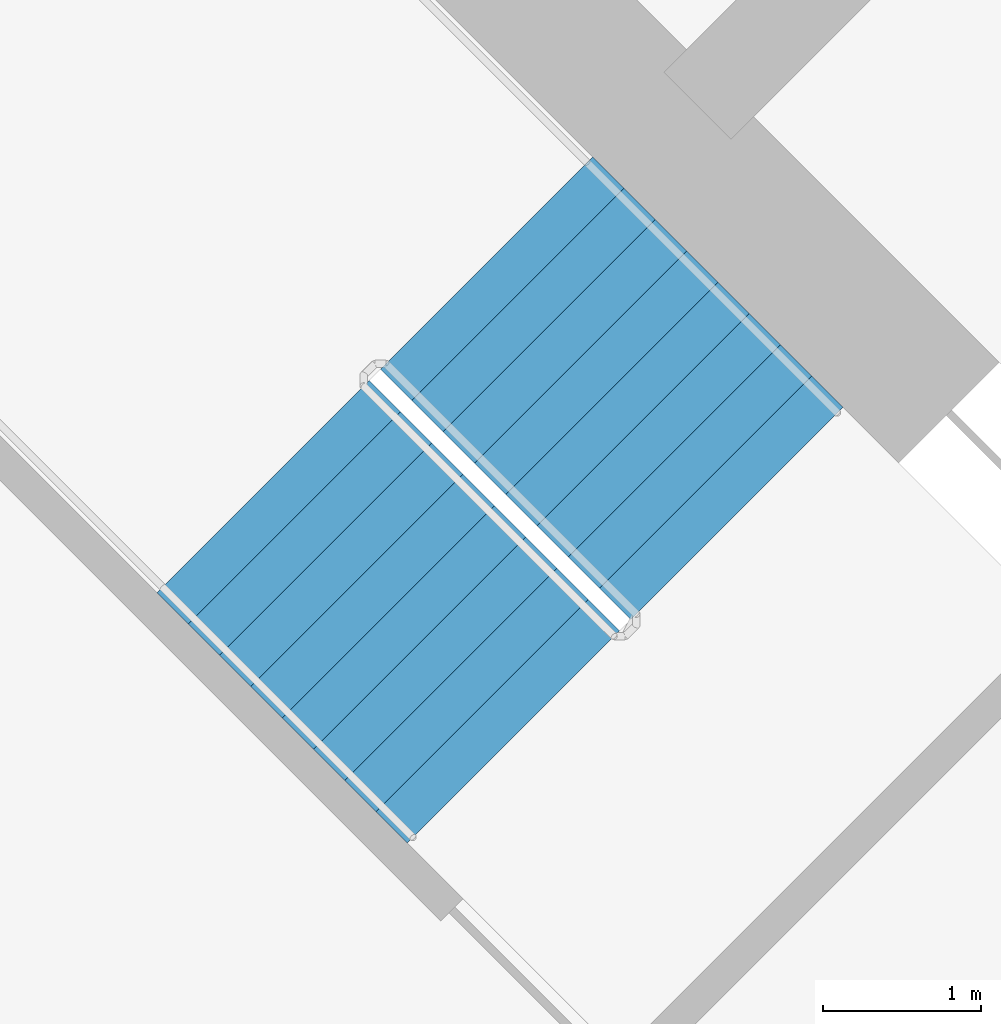
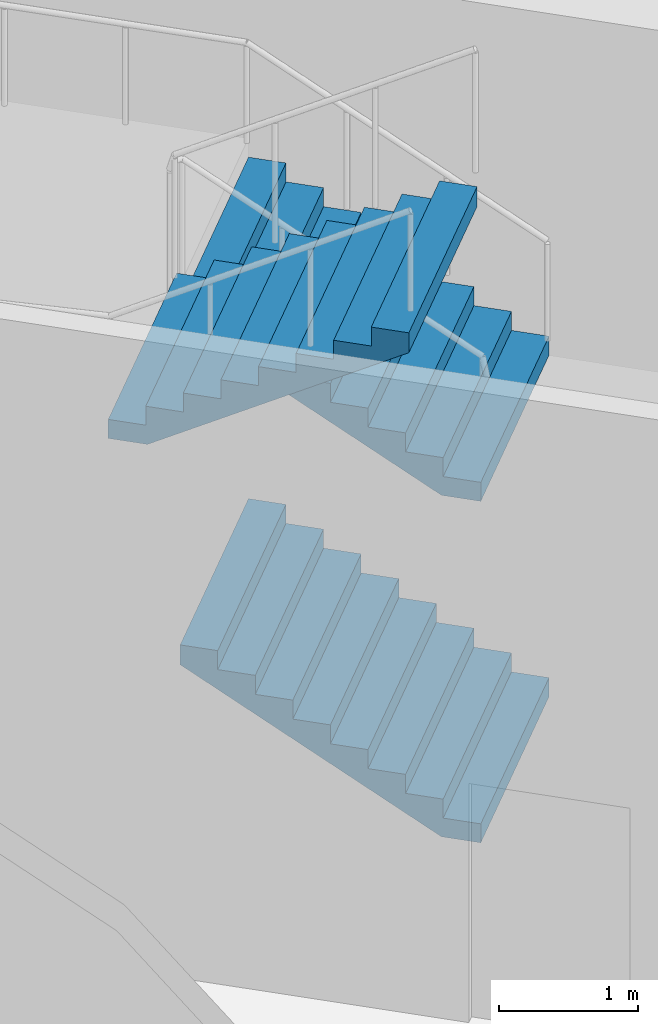
# One storey, part 10 of 12: 3 stair flights, 1 element without a shape of its own.
"""IFC4 building model written with IfcOpenShell, lengths in metres."""

import ifcopenshell
import ifcopenshell.guid

model = None  # the IFC model being written
_history = None  # IfcOwnerHistory: only IFC2X3 demands one
_inside = {}  # id of a spatial element -> (the spatial element, [elements in it])
_under = {}  # id of a project, library or spatial element -> (it, [spatial elements below it])
_declared = {}  # id of a project -> (the project, [libraries it declares])
_typed = {}  # id of a type object -> (the type object, [elements of that type])
_made_of = {}  # id of a material, layer set ... -> (it, [elements and type objects made of it])


def new_model(schema):
    """Start an empty IFC model of exactly this schema.

    Asked for "IFC4X3", IfcOpenShell would pick the latest addendum, in which some entities
    have other attributes; the version numbers below select the first issue.
    IFC2X3 requires an IfcOwnerHistory on every rooted entity: one is made here for all.
    """
    global model, _history
    if schema == "IFC4X3":
        model = ifcopenshell.file(schema_version=(4, 3, 0, 0))
    else:
        model = ifcopenshell.file(schema=schema)
    _inside.clear()
    _under.clear()
    _declared.clear()
    _typed.clear()
    _made_of.clear()
    _history = None
    if model.schema == "IFC2X3":
        org = make("IfcOrganization", Name="unknown")
        user = make(
            "IfcPersonAndOrganization",
            ThePerson=make("IfcPerson", FamilyName="unknown"),
            TheOrganization=org,
        )
        app = make(
            "IfcApplication",
            ApplicationDeveloper=org,
            Version="unknown",
            ApplicationFullName="unknown",
            ApplicationIdentifier="unknown",
        )
        _history = make(
            "IfcOwnerHistory",
            OwningUser=user,
            OwningApplication=app,
            ChangeAction="ADDED",
            CreationDate=0,
        )
    return model


def make(cls, **values):
    """One entity of the class cls with the attributes given. An attribute that is None is left unset."""
    return model.create_entity(
        cls, **{name: value for name, value in values.items() if value is not None}
    )


def rooted(cls, **values):
    """An entity with a GlobalId (a new one), such as an element, a storey or a relation."""
    return make(cls, GlobalId=ifcopenshell.guid.new(), OwnerHistory=_history, **values)


def si_unit(unit_type, name, prefix=None):
    """IfcSIUnit, for example si_unit("LENGTHUNIT", "METRE", prefix="MILLI")."""
    return make("IfcSIUnit", UnitType=unit_type, Prefix=prefix, Name=name)


def assignment(units):
    """IfcUnitAssignment: the units of a project."""
    return None if units is None else make("IfcUnitAssignment", Units=units)


def point(xyz):
    """IfcCartesianPoint."""
    return None if xyz is None else make("IfcCartesianPoint", Coordinates=xyz)


def direction(xyz):
    """IfcDirection."""
    return None if xyz is None else make("IfcDirection", DirectionRatios=xyz)


def frame(location, z_axis=None, x_axis=None):
    """IfcAxis2Placement3D, a coordinate frame: its origin and axes. An axis left out is left unset."""
    return make(
        "IfcAxis2Placement3D",
        Location=point(location),
        Axis=direction(z_axis),
        RefDirection=direction(x_axis),
    )


def origin():
    """The frame at (0, 0, 0) with its axes left unset."""
    return frame((0.0, 0.0, 0.0))


def place(relative_to, where):
    """IfcLocalPlacement: puts the frame where relative to a parent placement (None: the world)."""
    return make(
        "IfcLocalPlacement", PlacementRelTo=relative_to, RelativePlacement=where
    )


def context(
    kind, dimensions, precision=None, world=None, true_north=None, identifier=None
):
    """IfcGeometricRepresentationContext, for example the 3D "Model" context."""
    return make(
        "IfcGeometricRepresentationContext",
        ContextIdentifier=identifier,
        ContextType=kind,
        CoordinateSpaceDimension=dimensions,
        Precision=precision,
        WorldCoordinateSystem=world,
        TrueNorth=true_north,
    )


def subcontext(parent, identifier, kind, view, scale=None):
    """IfcGeometricRepresentationSubContext, for example "Body" below "Model"."""
    return make(
        "IfcGeometricRepresentationSubContext",
        ContextIdentifier=identifier,
        ContextType=kind,
        ParentContext=parent,
        TargetScale=scale,
        TargetView=view,
    )


def project(units=None, contexts=None):
    """IfcProject with its units and contexts."""
    return rooted(
        "IfcProject",
        Name="project",
        RepresentationContexts=contexts,
        UnitsInContext=assignment(units),
    )


def spatial(cls, under=None, at=None, **own):
    """A site, building, storey or space (cls), placed at a placement, below another one or the project."""
    s = rooted(cls, ObjectPlacement=at, **own)
    if under is not None:
        _under.setdefault(under.id(), (under, []))[1].append(s)
    return s


def point_list(points):
    """IfcCartesianPointList2D or 3D."""
    cls = (
        "IfcCartesianPointList2D" if len(points[0]) == 2 else "IfcCartesianPointList3D"
    )
    return make(cls, CoordList=points)


def triangles(points, corners, closed=None, point_numbers=None):
    """IfcTriangulatedFaceSet: each triangle names its three corners, points numbered from 1."""
    return make(
        "IfcTriangulatedFaceSet",
        Coordinates=point_list(points),
        Closed=closed,
        CoordIndex=corners,
        PnIndex=point_numbers,
    )


def shape(context_of_items, identifier, shape_type, items):
    """IfcShapeRepresentation: the items that make up one representation, for example the "Body"."""
    return make(
        "IfcShapeRepresentation",
        ContextOfItems=context_of_items,
        RepresentationIdentifier=identifier,
        RepresentationType=shape_type,
        Items=items,
    )


def material(Name=None, Category=None):
    """IfcMaterial."""
    return make("IfcMaterial", Name=Name, Category=Category)


def made_of(thing, what):
    """Note that an element or type object is made of a material, layer set ...; save() writes the relation."""
    if what is not None:
        _made_of.setdefault(what.id(), (what, []))[1].append(thing)
    return thing


def type_object(cls, material=None, **own):
    """A type object (cls), such as IfcWallType, which elements share."""
    return made_of(rooted(cls, **own), material)


def element(
    cls,
    number,
    at=None,
    inside=None,
    cuts=None,
    type_object=None,
    material=None,
    context=None,
    identifier="Body",
    shape_type=None,
    held_by="IfcProductDefinitionShape",
    body=None,
    shapes=None,
    **own,
):
    """One element of the class cls, such as IfcWall. Its Tag is "e" and its number.

    at: its placement. inside: the storey or other place that contains it. cuts: it is an
    opening in that element (IfcRelVoidsElement). A single representation is given by context,
    identifier, shape_type and body (its items); several are given by shapes. held_by: the class
    of the entity that holds the representations. save() writes the other relations.
    """
    e = rooted(cls, Tag="e%d" % number, ObjectPlacement=at, **own)
    if body is not None:
        shapes = [shape(context, identifier, shape_type, body)]
    if shapes is not None:
        e.Representation = make(held_by, Representations=shapes)
    if inside is not None:
        _inside.setdefault(inside.id(), (inside, []))[1].append(e)
    if cuts is not None:
        rooted(
            "IfcRelVoidsElement", RelatingBuildingElement=cuts, RelatedOpeningElement=e
        )
    if type_object is not None:
        _typed.setdefault(type_object.id(), (type_object, []))[1].append(e)
    return made_of(e, material)


def aggregate(whole, parts):
    """IfcRelAggregates: a whole, such as a stair, and the parts it consists of."""
    return rooted("IfcRelAggregates", RelatingObject=whole, RelatedObjects=parts)


def save(model, path):
    """Write the relations noted so far, then the file.

    IfcRelAggregates (storeys below a building ...), IfcRelContainedInSpatialStructure (elements
    in a storey), IfcRelDefinesByType, IfcRelAssociatesMaterial and IfcRelDeclares: one each for
    every whole, place, type object, material and project.
    """
    for whole, parts in _under.values():
        aggregate(whole, parts)
    for where, things in _inside.values():
        rooted(
            "IfcRelContainedInSpatialStructure",
            RelatedElements=things,
            RelatingStructure=where,
        )
    for kind, things in _typed.values():
        rooted("IfcRelDefinesByType", RelatedObjects=things, RelatingType=kind)
    for what, things in _made_of.values():
        rooted("IfcRelAssociatesMaterial", RelatedObjects=things, RelatingMaterial=what)
    for by, libraries in _declared.values():
        rooted("IfcRelDeclares", RelatingContext=by, RelatedDefinitions=libraries)
    model.write(path)


model = new_model("IFC4")

# Units and contexts
model_context = context("Model", 3, precision=1e-05, world=origin(), true_north=direction((0.0, 1.0)))
body_context = subcontext(model_context, "Body", "Model", "MODEL_VIEW")
ifc_project = project(units=[si_unit("LENGTHUNIT", "METRE"), si_unit("AREAUNIT", "SQUARE_METRE"), si_unit("VOLUMEUNIT", "CUBIC_METRE"), si_unit("PLANEANGLEUNIT", "RADIAN"), si_unit("MASSUNIT", "GRAM", prefix="KILO")], contexts=[model_context])

# Site, building, storey
site_placement = place(None, origin())
site = spatial("IfcSite", under=ifc_project, at=site_placement, CompositionType="ELEMENT")
building_placement = place(site_placement, origin())
building = spatial("IfcBuilding", under=site, at=building_placement, Name="Verdalira Terraces Hotel", CompositionType="ELEMENT")
storey_placement = place(building_placement, frame((0.0, 0.0, 28.0)))
storey = spatial("IfcBuildingStorey", under=building, at=storey_placement, Name="L05", CompositionType="ELEMENT", Elevation=28.0)

# Stair, stair flights
ifc_material_1 = material(Name="Concrete C40", Category="concrete")
stair_type = type_object("IfcStairType", Name="Core stair 36 risers 1900 mm wide", PredefinedType="HALF_TURN_STAIR", material=ifc_material_1)
stair_placement = place(storey_placement, origin())
stair = element("IfcStair", 1, at=stair_placement, inside=storey, type_object=stair_type, Name="L05 Exit stair ST1", PredefinedType="HALF_TURN_STAIR")
ifc_material_2 = material(Name="Concrete C40", Category="concrete")
stair_flight_type = type_object("IfcStairFlightType", Name="Core stair flight 36 risers 1900 mm wide", PredefinedType="STRAIGHT", material=ifc_material_2)
stair_flight_1_placement = place(storey_placement, frame((10.005615, 7.177246, 0.0), z_axis=(0.0, 0.0, 1.0), x_axis=(-0.707106781, 0.707106781, 0.0)))
stair_flight_1 = element("IfcStairFlight", 2, at=stair_flight_1_placement, type_object=stair_flight_type, Name="ST1 flight 1", NumberOfRisers=9, NumberOfTreads=8, PredefinedType="STRAIGHT", RiserHeight=0.166666667, TreadLength=0.28, context=body_context, shape_type="Tessellation", body=[
    triangles([(0.0, 0.949951, 0.0), (0.292969, 0.949951, 0.0), (2.23999, 0.949951, 1.158936), (0.0, -0.949951, 0.0), (0.292969, -0.949951, 0.0), (2.23999, -0.949951, 1.158936), (2.23999, 0.949951, 1.333252), (1.959961, 0.949951, 1.333252), (2.23999, -0.949951, 1.333252), (1.959961, -0.949951, 1.333252), (1.959961, 0.949951, 1.166748), (1.959961, -0.949951, 1.166748), (1.679932, 0.949951, 1.166748), (1.679932, -0.949951, 1.166748), (1.679932, 0.949951, 1.0), (1.679932, -0.949951, 1.0), (1.399902, 0.949951, 1.0), (1.399902, 0.949951, 0.833252), (1.399902, -0.949951, 1.0), (1.399902, -0.949951, 0.833252), (1.120117, 0.949951, 0.833252), (1.120117, 0.949951, 0.666748), (1.120117, -0.949951, 0.833252), (1.120117, -0.949951, 0.666748), (0.840088, 0.949951, 0.666748), (0.840088, 0.949951, 0.5), (0.840088, -0.949951, 0.666748), (0.840088, -0.949951, 0.5), (0.560059, 0.949951, 0.5), (0.560059, 0.949951, 0.333252), (0.560059, -0.949951, 0.5), (0.560059, -0.949951, 0.333252), (0.280029, 0.949951, 0.333252), (0.280029, 0.949951, 0.166748), (0.280029, -0.949951, 0.333252), (0.280029, -0.949951, 0.166748), (0.0, 0.949951, 0.166748), (0.0, -0.949951, 0.166748), (0.0, -0.890579, 0.0), (0.0, -0.890579, 0.166748), (0.0, -0.831207, 0.0), (0.0, -0.831207, 0.166748), (0.0, -0.771835, 0.0), (0.0, -0.771835, 0.166748), (0.0, -0.712463, 0.0), (0.0, -0.712463, 0.166748), (0.0, -0.653091, 0.0), (0.0, -0.653091, 0.166748), (0.0, -0.593719, 0.0), (0.0, -0.593719, 0.166748), (0.0, -0.534348, 0.0), (0.0, -0.534348, 0.166748), (0.0, -0.474976, 0.0), (0.0, -0.474976, 0.166748), (0.0, -0.415604, 0.0), (0.0, -0.415604, 0.166748), (0.0, -0.356232, 0.0), (0.0, -0.356232, 0.166748), (0.0, -0.29686, 0.0), (0.0, -0.29686, 0.166748), (0.0, -0.237488, 0.0), (0.0, -0.237488, 0.166748), (0.0, -0.178116, 0.0), (0.0, -0.178116, 0.166748), (0.0, -0.118744, 0.0), (0.0, -0.118744, 0.166748), (0.0, -0.059372, 0.0), (0.0, -0.059372, 0.166748), (0.0, 0.0, 0.0), (0.0, 0.0, 0.166748), (0.0, 0.059372, 0.0), (0.0, 0.059372, 0.166748), (0.0, 0.118744, 0.0), (0.0, 0.118744, 0.166748), (0.0, 0.178116, 0.0), (0.0, 0.178116, 0.166748), (0.0, 0.237488, 0.0), (0.0, 0.237488, 0.166748), (0.0, 0.29686, 0.0), (0.0, 0.29686, 0.166748), (0.0, 0.356232, 0.0), (0.0, 0.356232, 0.166748), (0.0, 0.415604, 0.0), (0.0, 0.415604, 0.166748), (0.0, 0.474976, 0.0), (0.0, 0.474976, 0.166748), (0.0, 0.534348, 0.0), (0.0, 0.534348, 0.166748), (0.0, 0.593719, 0.0), (0.0, 0.593719, 0.166748), (0.0, 0.653091, 0.0), (0.0, 0.653091, 0.166748), (0.0, 0.712463, 0.0), (0.0, 0.712463, 0.166748), (0.0, 0.771835, 0.0), (0.0, 0.771835, 0.166748), (0.0, 0.831207, 0.0), (0.0, 0.831207, 0.166748), (0.0, 0.890579, 0.0), (0.0, 0.890579, 0.166748), (2.23999, -0.890579, 1.333252), (2.23999, -0.831207, 1.333252), (2.23999, -0.771835, 1.333252), (2.23999, -0.712463, 1.333252), (2.23999, -0.653091, 1.333252), (2.23999, -0.593719, 1.333252), (2.23999, -0.534348, 1.333252), (2.23999, -0.474976, 1.333252), (2.23999, -0.415604, 1.333252), (2.23999, -0.356232, 1.333252), (2.23999, -0.29686, 1.333252), (2.23999, -0.237488, 1.333252), (2.23999, -0.178116, 1.333252), (2.23999, -0.118744, 1.333252), (2.23999, -0.059372, 1.333252), (2.23999, 0.0, 1.333252), (2.23999, 0.059372, 1.333252), (2.23999, 0.118744, 1.333252), (2.23999, 0.178116, 1.333252), (2.23999, 0.237488, 1.333252), (2.23999, 0.29686, 1.333252), (2.23999, 0.356232, 1.333252), (2.23999, 0.415604, 1.333252), (2.23999, 0.474976, 1.333252), (2.23999, 0.534348, 1.333252), (2.23999, 0.593719, 1.333252), (2.23999, 0.653091, 1.333252), (2.23999, 0.712463, 1.333252), (2.23999, 0.771835, 1.333252), (2.23999, 0.831207, 1.333252), (2.23999, 0.890579, 1.333252), (2.23999, -0.890579, 1.158936), (2.23999, -0.831207, 1.158936), (2.23999, -0.771835, 1.158936), (2.23999, -0.712463, 1.158936), (2.23999, -0.653091, 1.158936), (2.23999, -0.593719, 1.158936), (2.23999, -0.534348, 1.158936), (2.23999, -0.474976, 1.158936), (2.23999, -0.415604, 1.158936), (2.23999, -0.356232, 1.158936), (2.23999, -0.29686, 1.158936), (2.23999, -0.237488, 1.158936), (2.23999, -0.178116, 1.158936), (2.23999, -0.118744, 1.158936), (2.23999, -0.059372, 1.158936), (2.23999, 0.0, 1.158936), (2.23999, 0.059372, 1.158936), (2.23999, 0.118744, 1.158936), (2.23999, 0.178116, 1.158936), (2.23999, 0.237488, 1.158936), (2.23999, 0.29686, 1.158936), (2.23999, 0.356232, 1.158936), (2.23999, 0.415604, 1.158936), (2.23999, 0.474976, 1.158936), (2.23999, 0.534348, 1.158936), (2.23999, 0.593719, 1.158936), (2.23999, 0.653091, 1.158936), (2.23999, 0.712463, 1.158936), (2.23999, 0.771835, 1.158936), (2.23999, 0.831207, 1.158936), (2.23999, 0.890579, 1.158936)], [[1, 3, 2], [4, 5, 6], [3, 8, 7], [6, 9, 10], [3, 11, 8], [6, 10, 12], [3, 13, 11], [6, 12, 14], [3, 15, 13], [6, 14, 16], [15, 18, 17], [16, 19, 20], [3, 18, 15], [6, 16, 20], [18, 22, 21], [20, 23, 24], [3, 22, 18], [6, 20, 24], [22, 26, 25], [24, 27, 28], [3, 26, 22], [6, 24, 28], [26, 30, 29], [28, 31, 32], [3, 30, 26], [6, 28, 32], [1, 30, 3], [4, 6, 32], [30, 34, 33], [32, 35, 36], [1, 34, 30], [4, 32, 36], [34, 1, 37], [36, 38, 4], [4, 40, 39], [4, 38, 40], [39, 42, 41], [39, 40, 42], [41, 44, 43], [41, 42, 44], [43, 46, 45], [43, 44, 46], [45, 48, 47], [45, 46, 48], [47, 50, 49], [47, 48, 50], [49, 52, 51], [49, 50, 52], [51, 54, 53], [51, 52, 54], [53, 56, 55], [53, 54, 56], [55, 58, 57], [55, 56, 58], [57, 60, 59], [57, 58, 60], [59, 62, 61], [59, 60, 62], [61, 64, 63], [61, 62, 64], [63, 66, 65], [63, 64, 66], [65, 68, 67], [65, 66, 68], [67, 70, 69], [67, 68, 70], [69, 72, 71], [69, 70, 72], [71, 74, 73], [71, 72, 74], [73, 76, 75], [73, 74, 76], [75, 78, 77], [75, 76, 78], [77, 80, 79], [77, 78, 80], [79, 82, 81], [79, 80, 82], [81, 84, 83], [81, 82, 84], [83, 86, 85], [83, 84, 86], [85, 88, 87], [85, 86, 88], [87, 90, 89], [87, 88, 90], [89, 92, 91], [89, 90, 92], [91, 94, 93], [91, 92, 94], [93, 96, 95], [93, 94, 96], [95, 98, 97], [95, 96, 98], [97, 100, 99], [97, 98, 100], [99, 37, 1], [99, 100, 37], [38, 36, 40], [40, 36, 42], [42, 36, 44], [44, 36, 46], [46, 36, 48], [48, 36, 50], [50, 36, 52], [52, 36, 54], [54, 36, 56], [56, 36, 58], [58, 36, 60], [60, 36, 62], [62, 36, 64], [64, 36, 66], [66, 36, 68], [68, 36, 70], [70, 36, 72], [72, 36, 74], [74, 36, 76], [76, 36, 78], [78, 36, 80], [80, 36, 82], [82, 36, 84], [84, 36, 86], [86, 36, 88], [88, 36, 90], [90, 36, 92], [92, 36, 94], [94, 36, 96], [96, 36, 98], [98, 36, 100], [100, 36, 37], [37, 36, 34], [36, 33, 34], [36, 35, 33], [35, 30, 33], [35, 32, 30], [32, 29, 30], [32, 31, 29], [31, 26, 29], [31, 28, 26], [28, 25, 26], [28, 27, 25], [27, 22, 25], [27, 24, 22], [24, 21, 22], [24, 23, 21], [23, 18, 21], [23, 20, 18], [20, 17, 18], [20, 19, 17], [19, 15, 17], [19, 16, 15], [16, 13, 15], [16, 14, 13], [14, 11, 13], [14, 12, 11], [12, 8, 11], [12, 10, 8], [9, 101, 10], [101, 102, 10], [102, 103, 10], [103, 104, 10], [104, 105, 10], [105, 106, 10], [106, 107, 10], [107, 108, 10], [108, 109, 10], [109, 110, 10], [110, 111, 10], [111, 112, 10], [112, 113, 10], [113, 114, 10], [114, 115, 10], [115, 116, 10], [116, 117, 10], [117, 118, 10], [118, 119, 10], [119, 120, 10], [120, 121, 10], [121, 122, 10], [122, 123, 10], [123, 124, 10], [124, 125, 10], [125, 126, 10], [126, 127, 10], [127, 128, 10], [128, 129, 10], [129, 130, 10], [130, 131, 10], [131, 7, 10], [7, 8, 10], [9, 132, 101], [9, 6, 132], [101, 133, 102], [101, 132, 133], [102, 134, 103], [102, 133, 134], [103, 135, 104], [103, 134, 135], [104, 136, 105], [104, 135, 136], [105, 137, 106], [105, 136, 137], [106, 138, 107], [106, 137, 138], [107, 139, 108], [107, 138, 139], [108, 140, 109], [108, 139, 140], [109, 141, 110], [109, 140, 141], [110, 142, 111], [110, 141, 142], [111, 143, 112], [111, 142, 143], [112, 144, 113], [112, 143, 144], [113, 145, 114], [113, 144, 145], [114, 146, 115], [114, 145, 146], [115, 147, 116], [115, 146, 147], [116, 148, 117], [116, 147, 148], [117, 149, 118], [117, 148, 149], [118, 150, 119], [118, 149, 150], [119, 151, 120], [119, 150, 151], [120, 152, 121], [120, 151, 152], [121, 153, 122], [121, 152, 153], [122, 154, 123], [122, 153, 154], [123, 155, 124], [123, 154, 155], [124, 156, 125], [124, 155, 156], [125, 157, 126], [125, 156, 157], [126, 158, 127], [126, 157, 158], [127, 159, 128], [127, 158, 159], [128, 160, 129], [128, 159, 160], [129, 161, 130], [129, 160, 161], [130, 162, 131], [130, 161, 162], [131, 3, 7], [131, 162, 3], [6, 5, 132], [132, 5, 133], [133, 5, 134], [134, 5, 135], [135, 5, 136], [136, 5, 137], [137, 5, 138], [138, 5, 139], [139, 5, 140], [140, 5, 141], [141, 5, 142], [142, 5, 143], [143, 5, 144], [144, 5, 145], [145, 5, 146], [146, 5, 147], [147, 5, 148], [148, 5, 149], [149, 5, 150], [150, 5, 151], [151, 5, 152], [152, 5, 153], [153, 5, 154], [154, 5, 155], [155, 5, 156], [156, 5, 157], [157, 5, 158], [158, 5, 159], [159, 5, 160], [160, 5, 161], [161, 5, 162], [162, 5, 3], [3, 5, 2], [4, 39, 5], [39, 41, 5], [41, 43, 5], [43, 45, 5], [45, 47, 5], [47, 49, 5], [49, 51, 5], [51, 53, 5], [53, 55, 5], [55, 57, 5], [57, 59, 5], [59, 61, 5], [61, 63, 5], [63, 65, 5], [65, 67, 5], [67, 69, 5], [69, 71, 5], [71, 73, 5], [73, 75, 5], [75, 77, 5], [77, 79, 5], [79, 81, 5], [81, 83, 5], [83, 85, 5], [85, 87, 5], [87, 89, 5], [89, 91, 5], [91, 93, 5], [93, 95, 5], [95, 97, 5], [97, 99, 5], [99, 1, 5], [1, 2, 5]], closed=True),
])
stair_flight_2_placement = place(storey_placement, frame((10.005615, 7.177246, 3.0), z_axis=(0.0, 0.0, 1.0), x_axis=(-0.707106781, 0.707106781, 0.0)))
stair_flight_2 = element("IfcStairFlight", 3, at=stair_flight_2_placement, type_object=stair_flight_type, Name="ST1 flight 3", NumberOfRisers=9, NumberOfTreads=8, PredefinedType="STRAIGHT", RiserHeight=0.166666667, TreadLength=0.28, context=body_context, shape_type="Tessellation", body=[
    triangles([(0.0, 0.949951, 0.0), (0.292969, 0.949951, 0.0), (2.23999, 0.949951, 1.158936), (0.0, -0.949951, 0.0), (0.292969, -0.949951, 0.0), (2.23999, -0.949951, 1.158936), (2.23999, 0.949951, 1.333252), (1.959961, 0.949951, 1.333252), (2.23999, -0.949951, 1.333252), (1.959961, -0.949951, 1.333252), (1.959961, 0.949951, 1.166748), (1.959961, -0.949951, 1.166748), (1.679932, 0.949951, 1.166748), (1.679932, -0.949951, 1.166748), (1.679932, 0.949951, 1.0), (1.679932, -0.949951, 1.0), (1.399902, 0.949951, 1.0), (1.399902, 0.949951, 0.833252), (1.399902, -0.949951, 1.0), (1.399902, -0.949951, 0.833252), (1.120117, 0.949951, 0.833252), (1.120117, 0.949951, 0.666748), (1.120117, -0.949951, 0.833252), (1.120117, -0.949951, 0.666748), (0.840088, 0.949951, 0.666748), (0.840088, 0.949951, 0.5), (0.840088, -0.949951, 0.666748), (0.840088, -0.949951, 0.5), (0.560059, 0.949951, 0.5), (0.560059, 0.949951, 0.333252), (0.560059, -0.949951, 0.5), (0.560059, -0.949951, 0.333252), (0.280029, 0.949951, 0.333252), (0.280029, 0.949951, 0.166748), (0.280029, -0.949951, 0.333252), (0.280029, -0.949951, 0.166748), (0.0, 0.949951, 0.166748), (0.0, -0.949951, 0.166748), (0.0, -0.890579, 0.0), (0.0, -0.890579, 0.166748), (0.0, -0.831207, 0.0), (0.0, -0.831207, 0.166748), (0.0, -0.771835, 0.0), (0.0, -0.771835, 0.166748), (0.0, -0.712463, 0.0), (0.0, -0.712463, 0.166748), (0.0, -0.653091, 0.0), (0.0, -0.653091, 0.166748), (0.0, -0.593719, 0.0), (0.0, -0.593719, 0.166748), (0.0, -0.534348, 0.0), (0.0, -0.534348, 0.166748), (0.0, -0.474976, 0.0), (0.0, -0.474976, 0.166748), (0.0, -0.415604, 0.0), (0.0, -0.415604, 0.166748), (0.0, -0.356232, 0.0), (0.0, -0.356232, 0.166748), (0.0, -0.29686, 0.0), (0.0, -0.29686, 0.166748), (0.0, -0.237488, 0.0), (0.0, -0.237488, 0.166748), (0.0, -0.178116, 0.0), (0.0, -0.178116, 0.166748), (0.0, -0.118744, 0.0), (0.0, -0.118744, 0.166748), (0.0, -0.059372, 0.0), (0.0, -0.059372, 0.166748), (0.0, 0.0, 0.0), (0.0, 0.0, 0.166748), (0.0, 0.059372, 0.0), (0.0, 0.059372, 0.166748), (0.0, 0.118744, 0.0), (0.0, 0.118744, 0.166748), (0.0, 0.178116, 0.0), (0.0, 0.178116, 0.166748), (0.0, 0.237488, 0.0), (0.0, 0.237488, 0.166748), (0.0, 0.29686, 0.0), (0.0, 0.29686, 0.166748), (0.0, 0.356232, 0.0), (0.0, 0.356232, 0.166748), (0.0, 0.415604, 0.0), (0.0, 0.415604, 0.166748), (0.0, 0.474976, 0.0), (0.0, 0.474976, 0.166748), (0.0, 0.534348, 0.0), (0.0, 0.534348, 0.166748), (0.0, 0.593719, 0.0), (0.0, 0.593719, 0.166748), (0.0, 0.653091, 0.0), (0.0, 0.653091, 0.166748), (0.0, 0.712463, 0.0), (0.0, 0.712463, 0.166748), (0.0, 0.771835, 0.0), (0.0, 0.771835, 0.166748), (0.0, 0.831207, 0.0), (0.0, 0.831207, 0.166748), (0.0, 0.890579, 0.0), (0.0, 0.890579, 0.166748), (2.23999, -0.890579, 1.333252), (2.23999, -0.831207, 1.333252), (2.23999, -0.771835, 1.333252), (2.23999, -0.712463, 1.333252), (2.23999, -0.653091, 1.333252), (2.23999, -0.593719, 1.333252), (2.23999, -0.534348, 1.333252), (2.23999, -0.474976, 1.333252), (2.23999, -0.415604, 1.333252), (2.23999, -0.356232, 1.333252), (2.23999, -0.29686, 1.333252), (2.23999, -0.237488, 1.333252), (2.23999, -0.178116, 1.333252), (2.23999, -0.118744, 1.333252), (2.23999, -0.059372, 1.333252), (2.23999, 0.0, 1.333252), (2.23999, 0.059372, 1.333252), (2.23999, 0.118744, 1.333252), (2.23999, 0.178116, 1.333252), (2.23999, 0.237488, 1.333252), (2.23999, 0.29686, 1.333252), (2.23999, 0.356232, 1.333252), (2.23999, 0.415604, 1.333252), (2.23999, 0.474976, 1.333252), (2.23999, 0.534348, 1.333252), (2.23999, 0.593719, 1.333252), (2.23999, 0.653091, 1.333252), (2.23999, 0.712463, 1.333252), (2.23999, 0.771835, 1.333252), (2.23999, 0.831207, 1.333252), (2.23999, 0.890579, 1.333252), (2.23999, -0.890579, 1.158936), (2.23999, -0.831207, 1.158936), (2.23999, -0.771835, 1.158936), (2.23999, -0.712463, 1.158936), (2.23999, -0.653091, 1.158936), (2.23999, -0.593719, 1.158936), (2.23999, -0.534348, 1.158936), (2.23999, -0.474976, 1.158936), (2.23999, -0.415604, 1.158936), (2.23999, -0.356232, 1.158936), (2.23999, -0.29686, 1.158936), (2.23999, -0.237488, 1.158936), (2.23999, -0.178116, 1.158936), (2.23999, -0.118744, 1.158936), (2.23999, -0.059372, 1.158936), (2.23999, 0.0, 1.158936), (2.23999, 0.059372, 1.158936), (2.23999, 0.118744, 1.158936), (2.23999, 0.178116, 1.158936), (2.23999, 0.237488, 1.158936), (2.23999, 0.29686, 1.158936), (2.23999, 0.356232, 1.158936), (2.23999, 0.415604, 1.158936), (2.23999, 0.474976, 1.158936), (2.23999, 0.534348, 1.158936), (2.23999, 0.593719, 1.158936), (2.23999, 0.653091, 1.158936), (2.23999, 0.712463, 1.158936), (2.23999, 0.771835, 1.158936), (2.23999, 0.831207, 1.158936), (2.23999, 0.890579, 1.158936)], [[1, 3, 2], [4, 5, 6], [3, 8, 7], [6, 9, 10], [3, 11, 8], [6, 10, 12], [3, 13, 11], [6, 12, 14], [3, 15, 13], [6, 14, 16], [15, 18, 17], [16, 19, 20], [3, 18, 15], [6, 16, 20], [18, 22, 21], [20, 23, 24], [3, 22, 18], [6, 20, 24], [22, 26, 25], [24, 27, 28], [3, 26, 22], [6, 24, 28], [26, 30, 29], [28, 31, 32], [3, 30, 26], [6, 28, 32], [1, 30, 3], [4, 6, 32], [30, 34, 33], [32, 35, 36], [1, 34, 30], [4, 32, 36], [34, 1, 37], [36, 38, 4], [4, 40, 39], [4, 38, 40], [39, 42, 41], [39, 40, 42], [41, 44, 43], [41, 42, 44], [43, 46, 45], [43, 44, 46], [45, 48, 47], [45, 46, 48], [47, 50, 49], [47, 48, 50], [49, 52, 51], [49, 50, 52], [51, 54, 53], [51, 52, 54], [53, 56, 55], [53, 54, 56], [55, 58, 57], [55, 56, 58], [57, 60, 59], [57, 58, 60], [59, 62, 61], [59, 60, 62], [61, 64, 63], [61, 62, 64], [63, 66, 65], [63, 64, 66], [65, 68, 67], [65, 66, 68], [67, 70, 69], [67, 68, 70], [69, 72, 71], [69, 70, 72], [71, 74, 73], [71, 72, 74], [73, 76, 75], [73, 74, 76], [75, 78, 77], [75, 76, 78], [77, 80, 79], [77, 78, 80], [79, 82, 81], [79, 80, 82], [81, 84, 83], [81, 82, 84], [83, 86, 85], [83, 84, 86], [85, 88, 87], [85, 86, 88], [87, 90, 89], [87, 88, 90], [89, 92, 91], [89, 90, 92], [91, 94, 93], [91, 92, 94], [93, 96, 95], [93, 94, 96], [95, 98, 97], [95, 96, 98], [97, 100, 99], [97, 98, 100], [99, 37, 1], [99, 100, 37], [38, 36, 40], [40, 36, 42], [42, 36, 44], [44, 36, 46], [46, 36, 48], [48, 36, 50], [50, 36, 52], [52, 36, 54], [54, 36, 56], [56, 36, 58], [58, 36, 60], [60, 36, 62], [62, 36, 64], [64, 36, 66], [66, 36, 68], [68, 36, 70], [70, 36, 72], [72, 36, 74], [74, 36, 76], [76, 36, 78], [78, 36, 80], [80, 36, 82], [82, 36, 84], [84, 36, 86], [86, 36, 88], [88, 36, 90], [90, 36, 92], [92, 36, 94], [94, 36, 96], [96, 36, 98], [98, 36, 100], [100, 36, 37], [37, 36, 34], [36, 33, 34], [36, 35, 33], [35, 30, 33], [35, 32, 30], [32, 29, 30], [32, 31, 29], [31, 26, 29], [31, 28, 26], [28, 25, 26], [28, 27, 25], [27, 22, 25], [27, 24, 22], [24, 21, 22], [24, 23, 21], [23, 18, 21], [23, 20, 18], [20, 17, 18], [20, 19, 17], [19, 15, 17], [19, 16, 15], [16, 13, 15], [16, 14, 13], [14, 11, 13], [14, 12, 11], [12, 8, 11], [12, 10, 8], [9, 101, 10], [101, 102, 10], [102, 103, 10], [103, 104, 10], [104, 105, 10], [105, 106, 10], [106, 107, 10], [107, 108, 10], [108, 109, 10], [109, 110, 10], [110, 111, 10], [111, 112, 10], [112, 113, 10], [113, 114, 10], [114, 115, 10], [115, 116, 10], [116, 117, 10], [117, 118, 10], [118, 119, 10], [119, 120, 10], [120, 121, 10], [121, 122, 10], [122, 123, 10], [123, 124, 10], [124, 125, 10], [125, 126, 10], [126, 127, 10], [127, 128, 10], [128, 129, 10], [129, 130, 10], [130, 131, 10], [131, 7, 10], [7, 8, 10], [9, 132, 101], [9, 6, 132], [101, 133, 102], [101, 132, 133], [102, 134, 103], [102, 133, 134], [103, 135, 104], [103, 134, 135], [104, 136, 105], [104, 135, 136], [105, 137, 106], [105, 136, 137], [106, 138, 107], [106, 137, 138], [107, 139, 108], [107, 138, 139], [108, 140, 109], [108, 139, 140], [109, 141, 110], [109, 140, 141], [110, 142, 111], [110, 141, 142], [111, 143, 112], [111, 142, 143], [112, 144, 113], [112, 143, 144], [113, 145, 114], [113, 144, 145], [114, 146, 115], [114, 145, 146], [115, 147, 116], [115, 146, 147], [116, 148, 117], [116, 147, 148], [117, 149, 118], [117, 148, 149], [118, 150, 119], [118, 149, 150], [119, 151, 120], [119, 150, 151], [120, 152, 121], [120, 151, 152], [121, 153, 122], [121, 152, 153], [122, 154, 123], [122, 153, 154], [123, 155, 124], [123, 154, 155], [124, 156, 125], [124, 155, 156], [125, 157, 126], [125, 156, 157], [126, 158, 127], [126, 157, 158], [127, 159, 128], [127, 158, 159], [128, 160, 129], [128, 159, 160], [129, 161, 130], [129, 160, 161], [130, 162, 131], [130, 161, 162], [131, 3, 7], [131, 162, 3], [6, 5, 132], [132, 5, 133], [133, 5, 134], [134, 5, 135], [135, 5, 136], [136, 5, 137], [137, 5, 138], [138, 5, 139], [139, 5, 140], [140, 5, 141], [141, 5, 142], [142, 5, 143], [143, 5, 144], [144, 5, 145], [145, 5, 146], [146, 5, 147], [147, 5, 148], [148, 5, 149], [149, 5, 150], [150, 5, 151], [151, 5, 152], [152, 5, 153], [153, 5, 154], [154, 5, 155], [155, 5, 156], [156, 5, 157], [157, 5, 158], [158, 5, 159], [159, 5, 160], [160, 5, 161], [161, 5, 162], [162, 5, 3], [3, 5, 2], [4, 39, 5], [39, 41, 5], [41, 43, 5], [43, 45, 5], [45, 47, 5], [47, 49, 5], [49, 51, 5], [51, 53, 5], [53, 55, 5], [55, 57, 5], [57, 59, 5], [59, 61, 5], [61, 63, 5], [63, 65, 5], [65, 67, 5], [67, 69, 5], [69, 71, 5], [71, 73, 5], [73, 75, 5], [75, 77, 5], [77, 79, 5], [79, 81, 5], [81, 83, 5], [83, 85, 5], [85, 87, 5], [87, 89, 5], [89, 91, 5], [91, 93, 5], [93, 95, 5], [95, 97, 5], [97, 99, 5], [99, 1, 5], [1, 2, 5]], closed=True),
])
stair_flight_3_placement = place(storey_placement, frame((7.007324, 7.346924, 4.5), z_axis=(0.0, 0.0, 1.0), x_axis=(0.707106781, -0.707106781, 0.0)))
stair_flight_3 = element("IfcStairFlight", 4, at=stair_flight_3_placement, type_object=stair_flight_type, Name="ST1 flight 4", NumberOfRisers=9, NumberOfTreads=8, PredefinedType="STRAIGHT", RiserHeight=0.166666667, TreadLength=0.28, context=body_context, shape_type="Tessellation", body=[
    triangles([(0.0, 0.949951, 0.0), (0.292969, 0.949951, 0.0), (2.23999, 0.949951, 1.158936), (0.0, -0.949951, 0.0), (0.292969, -0.949951, 0.0), (2.23999, -0.949951, 1.158936), (2.23999, 0.949951, 1.333252), (1.959961, 0.949951, 1.333252), (2.23999, -0.949951, 1.333252), (1.959961, -0.949951, 1.333252), (1.959961, 0.949951, 1.166748), (1.959961, -0.949951, 1.166748), (1.679932, 0.949951, 1.166748), (1.679932, -0.949951, 1.166748), (1.679932, 0.949951, 1.0), (1.679932, -0.949951, 1.0), (1.399902, 0.949951, 1.0), (1.399902, 0.949951, 0.833252), (1.399902, -0.949951, 1.0), (1.399902, -0.949951, 0.833252), (1.120117, 0.949951, 0.833252), (1.120117, 0.949951, 0.666748), (1.120117, -0.949951, 0.833252), (1.120117, -0.949951, 0.666748), (0.840088, 0.949951, 0.666748), (0.840088, 0.949951, 0.5), (0.840088, -0.949951, 0.666748), (0.840088, -0.949951, 0.5), (0.560059, 0.949951, 0.5), (0.560059, 0.949951, 0.333252), (0.560059, -0.949951, 0.5), (0.560059, -0.949951, 0.333252), (0.280029, 0.949951, 0.333252), (0.280029, 0.949951, 0.166748), (0.280029, -0.949951, 0.333252), (0.280029, -0.949951, 0.166748), (0.0, 0.949951, 0.166748), (0.0, -0.949951, 0.166748), (0.0, -0.890579, 0.0), (0.0, -0.890579, 0.166748), (0.0, -0.831207, 0.0), (0.0, -0.831207, 0.166748), (0.0, -0.771835, 0.0), (0.0, -0.771835, 0.166748), (0.0, -0.712463, 0.0), (0.0, -0.712463, 0.166748), (0.0, -0.653091, 0.0), (0.0, -0.653091, 0.166748), (0.0, -0.593719, 0.0), (0.0, -0.593719, 0.166748), (0.0, -0.534348, 0.0), (0.0, -0.534348, 0.166748), (0.0, -0.474976, 0.0), (0.0, -0.474976, 0.166748), (0.0, -0.415604, 0.0), (0.0, -0.415604, 0.166748), (0.0, -0.356232, 0.0), (0.0, -0.356232, 0.166748), (0.0, -0.29686, 0.0), (0.0, -0.29686, 0.166748), (0.0, -0.237488, 0.0), (0.0, -0.237488, 0.166748), (0.0, -0.178116, 0.0), (0.0, -0.178116, 0.166748), (0.0, -0.118744, 0.0), (0.0, -0.118744, 0.166748), (0.0, -0.059372, 0.0), (0.0, -0.059372, 0.166748), (0.0, 0.0, 0.0), (0.0, 0.0, 0.166748), (0.0, 0.059372, 0.0), (0.0, 0.059372, 0.166748), (0.0, 0.118744, 0.0), (0.0, 0.118744, 0.166748), (0.0, 0.178116, 0.0), (0.0, 0.178116, 0.166748), (0.0, 0.237488, 0.0), (0.0, 0.237488, 0.166748), (0.0, 0.29686, 0.0), (0.0, 0.29686, 0.166748), (0.0, 0.356232, 0.0), (0.0, 0.356232, 0.166748), (0.0, 0.415604, 0.0), (0.0, 0.415604, 0.166748), (0.0, 0.474976, 0.0), (0.0, 0.474976, 0.166748), (0.0, 0.534348, 0.0), (0.0, 0.534348, 0.166748), (0.0, 0.593719, 0.0), (0.0, 0.593719, 0.166748), (0.0, 0.653091, 0.0), (0.0, 0.653091, 0.166748), (0.0, 0.712463, 0.0), (0.0, 0.712463, 0.166748), (0.0, 0.771835, 0.0), (0.0, 0.771835, 0.166748), (0.0, 0.831207, 0.0), (0.0, 0.831207, 0.166748), (0.0, 0.890579, 0.0), (0.0, 0.890579, 0.166748), (2.23999, -0.890579, 1.333252), (2.23999, -0.831207, 1.333252), (2.23999, -0.771835, 1.333252), (2.23999, -0.712463, 1.333252), (2.23999, -0.653091, 1.333252), (2.23999, -0.593719, 1.333252), (2.23999, -0.534348, 1.333252), (2.23999, -0.474976, 1.333252), (2.23999, -0.415604, 1.333252), (2.23999, -0.356232, 1.333252), (2.23999, -0.29686, 1.333252), (2.23999, -0.237488, 1.333252), (2.23999, -0.178116, 1.333252), (2.23999, -0.118744, 1.333252), (2.23999, -0.059372, 1.333252), (2.23999, 0.0, 1.333252), (2.23999, 0.059372, 1.333252), (2.23999, 0.118744, 1.333252), (2.23999, 0.178116, 1.333252), (2.23999, 0.237488, 1.333252), (2.23999, 0.29686, 1.333252), (2.23999, 0.356232, 1.333252), (2.23999, 0.415604, 1.333252), (2.23999, 0.474976, 1.333252), (2.23999, 0.534348, 1.333252), (2.23999, 0.593719, 1.333252), (2.23999, 0.653091, 1.333252), (2.23999, 0.712463, 1.333252), (2.23999, 0.771835, 1.333252), (2.23999, 0.831207, 1.333252), (2.23999, 0.890579, 1.333252), (2.23999, -0.890579, 1.158936), (2.23999, -0.831207, 1.158936), (2.23999, -0.771835, 1.158936), (2.23999, -0.712463, 1.158936), (2.23999, -0.653091, 1.158936), (2.23999, -0.593719, 1.158936), (2.23999, -0.534348, 1.158936), (2.23999, -0.474976, 1.158936), (2.23999, -0.415604, 1.158936), (2.23999, -0.356232, 1.158936), (2.23999, -0.29686, 1.158936), (2.23999, -0.237488, 1.158936), (2.23999, -0.178116, 1.158936), (2.23999, -0.118744, 1.158936), (2.23999, -0.059372, 1.158936), (2.23999, 0.0, 1.158936), (2.23999, 0.059372, 1.158936), (2.23999, 0.118744, 1.158936), (2.23999, 0.178116, 1.158936), (2.23999, 0.237488, 1.158936), (2.23999, 0.29686, 1.158936), (2.23999, 0.356232, 1.158936), (2.23999, 0.415604, 1.158936), (2.23999, 0.474976, 1.158936), (2.23999, 0.534348, 1.158936), (2.23999, 0.593719, 1.158936), (2.23999, 0.653091, 1.158936), (2.23999, 0.712463, 1.158936), (2.23999, 0.771835, 1.158936), (2.23999, 0.831207, 1.158936), (2.23999, 0.890579, 1.158936)], [[1, 3, 2], [4, 5, 6], [3, 8, 7], [6, 9, 10], [3, 11, 8], [6, 10, 12], [3, 13, 11], [6, 12, 14], [3, 15, 13], [6, 14, 16], [15, 18, 17], [16, 19, 20], [3, 18, 15], [6, 16, 20], [18, 22, 21], [20, 23, 24], [3, 22, 18], [6, 20, 24], [22, 26, 25], [24, 27, 28], [3, 26, 22], [6, 24, 28], [26, 30, 29], [28, 31, 32], [3, 30, 26], [6, 28, 32], [1, 30, 3], [4, 6, 32], [30, 34, 33], [32, 35, 36], [1, 34, 30], [4, 32, 36], [34, 1, 37], [36, 38, 4], [4, 40, 39], [4, 38, 40], [39, 42, 41], [39, 40, 42], [41, 44, 43], [41, 42, 44], [43, 46, 45], [43, 44, 46], [45, 48, 47], [45, 46, 48], [47, 50, 49], [47, 48, 50], [49, 52, 51], [49, 50, 52], [51, 54, 53], [51, 52, 54], [53, 56, 55], [53, 54, 56], [55, 58, 57], [55, 56, 58], [57, 60, 59], [57, 58, 60], [59, 62, 61], [59, 60, 62], [61, 64, 63], [61, 62, 64], [63, 66, 65], [63, 64, 66], [65, 68, 67], [65, 66, 68], [67, 70, 69], [67, 68, 70], [69, 72, 71], [69, 70, 72], [71, 74, 73], [71, 72, 74], [73, 76, 75], [73, 74, 76], [75, 78, 77], [75, 76, 78], [77, 80, 79], [77, 78, 80], [79, 82, 81], [79, 80, 82], [81, 84, 83], [81, 82, 84], [83, 86, 85], [83, 84, 86], [85, 88, 87], [85, 86, 88], [87, 90, 89], [87, 88, 90], [89, 92, 91], [89, 90, 92], [91, 94, 93], [91, 92, 94], [93, 96, 95], [93, 94, 96], [95, 98, 97], [95, 96, 98], [97, 100, 99], [97, 98, 100], [99, 37, 1], [99, 100, 37], [38, 36, 40], [40, 36, 42], [42, 36, 44], [44, 36, 46], [46, 36, 48], [48, 36, 50], [50, 36, 52], [52, 36, 54], [54, 36, 56], [56, 36, 58], [58, 36, 60], [60, 36, 62], [62, 36, 64], [64, 36, 66], [66, 36, 68], [68, 36, 70], [70, 36, 72], [72, 36, 74], [74, 36, 76], [76, 36, 78], [78, 36, 80], [80, 36, 82], [82, 36, 84], [84, 36, 86], [86, 36, 88], [88, 36, 90], [90, 36, 92], [92, 36, 94], [94, 36, 96], [96, 36, 98], [98, 36, 100], [100, 36, 37], [37, 36, 34], [36, 33, 34], [36, 35, 33], [35, 30, 33], [35, 32, 30], [32, 29, 30], [32, 31, 29], [31, 26, 29], [31, 28, 26], [28, 25, 26], [28, 27, 25], [27, 22, 25], [27, 24, 22], [24, 21, 22], [24, 23, 21], [23, 18, 21], [23, 20, 18], [20, 17, 18], [20, 19, 17], [19, 15, 17], [19, 16, 15], [16, 13, 15], [16, 14, 13], [14, 11, 13], [14, 12, 11], [12, 8, 11], [12, 10, 8], [9, 101, 10], [101, 102, 10], [102, 103, 10], [103, 104, 10], [104, 105, 10], [105, 106, 10], [106, 107, 10], [107, 108, 10], [108, 109, 10], [109, 110, 10], [110, 111, 10], [111, 112, 10], [112, 113, 10], [113, 114, 10], [114, 115, 10], [115, 116, 10], [116, 117, 10], [117, 118, 10], [118, 119, 10], [119, 120, 10], [120, 121, 10], [121, 122, 10], [122, 123, 10], [123, 124, 10], [124, 125, 10], [125, 126, 10], [126, 127, 10], [127, 128, 10], [128, 129, 10], [129, 130, 10], [130, 131, 10], [131, 7, 10], [7, 8, 10], [9, 132, 101], [9, 6, 132], [101, 133, 102], [101, 132, 133], [102, 134, 103], [102, 133, 134], [103, 135, 104], [103, 134, 135], [104, 136, 105], [104, 135, 136], [105, 137, 106], [105, 136, 137], [106, 138, 107], [106, 137, 138], [107, 139, 108], [107, 138, 139], [108, 140, 109], [108, 139, 140], [109, 141, 110], [109, 140, 141], [110, 142, 111], [110, 141, 142], [111, 143, 112], [111, 142, 143], [112, 144, 113], [112, 143, 144], [113, 145, 114], [113, 144, 145], [114, 146, 115], [114, 145, 146], [115, 147, 116], [115, 146, 147], [116, 148, 117], [116, 147, 148], [117, 149, 118], [117, 148, 149], [118, 150, 119], [118, 149, 150], [119, 151, 120], [119, 150, 151], [120, 152, 121], [120, 151, 152], [121, 153, 122], [121, 152, 153], [122, 154, 123], [122, 153, 154], [123, 155, 124], [123, 154, 155], [124, 156, 125], [124, 155, 156], [125, 157, 126], [125, 156, 157], [126, 158, 127], [126, 157, 158], [127, 159, 128], [127, 158, 159], [128, 160, 129], [128, 159, 160], [129, 161, 130], [129, 160, 161], [130, 162, 131], [130, 161, 162], [131, 3, 7], [131, 162, 3], [6, 5, 132], [132, 5, 133], [133, 5, 134], [134, 5, 135], [135, 5, 136], [136, 5, 137], [137, 5, 138], [138, 5, 139], [139, 5, 140], [140, 5, 141], [141, 5, 142], [142, 5, 143], [143, 5, 144], [144, 5, 145], [145, 5, 146], [146, 5, 147], [147, 5, 148], [148, 5, 149], [149, 5, 150], [150, 5, 151], [151, 5, 152], [152, 5, 153], [153, 5, 154], [154, 5, 155], [155, 5, 156], [156, 5, 157], [157, 5, 158], [158, 5, 159], [159, 5, 160], [160, 5, 161], [161, 5, 162], [162, 5, 3], [3, 5, 2], [4, 39, 5], [39, 41, 5], [41, 43, 5], [43, 45, 5], [45, 47, 5], [47, 49, 5], [49, 51, 5], [51, 53, 5], [53, 55, 5], [55, 57, 5], [57, 59, 5], [59, 61, 5], [61, 63, 5], [63, 65, 5], [65, 67, 5], [67, 69, 5], [69, 71, 5], [71, 73, 5], [73, 75, 5], [75, 77, 5], [77, 79, 5], [79, 81, 5], [81, 83, 5], [83, 85, 5], [85, 87, 5], [87, 89, 5], [89, 91, 5], [91, 93, 5], [93, 95, 5], [95, 97, 5], [97, 99, 5], [99, 1, 5], [1, 2, 5]], closed=True),
])
aggregate(stair, [stair_flight_1, stair_flight_2, stair_flight_3])

save(model, "model.ifc")
